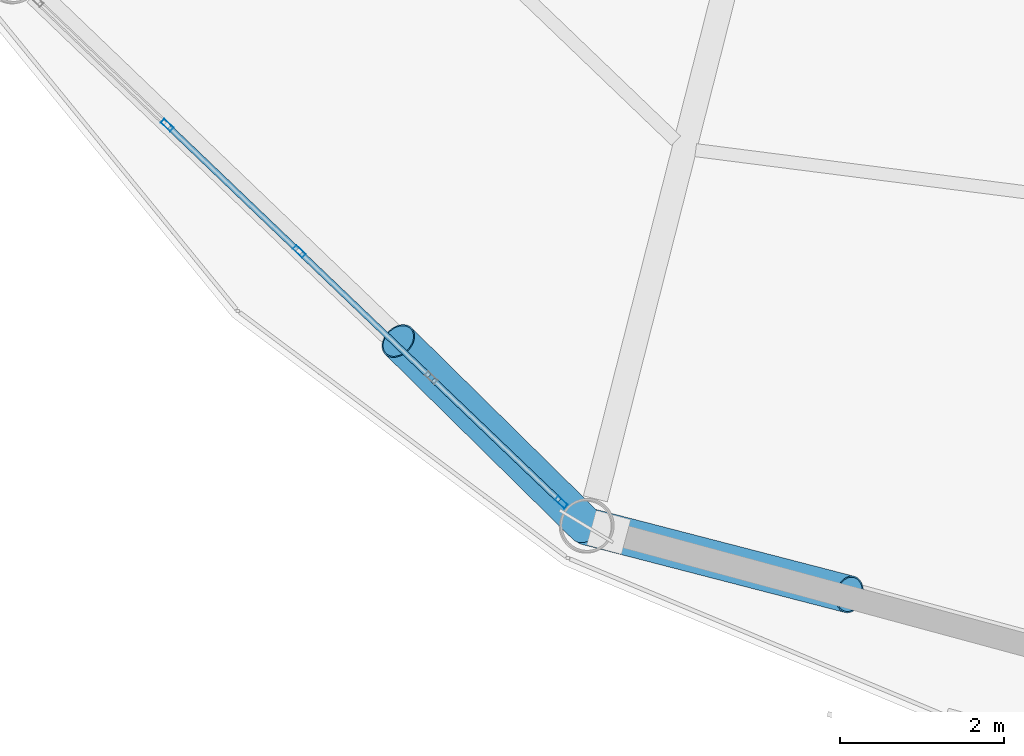
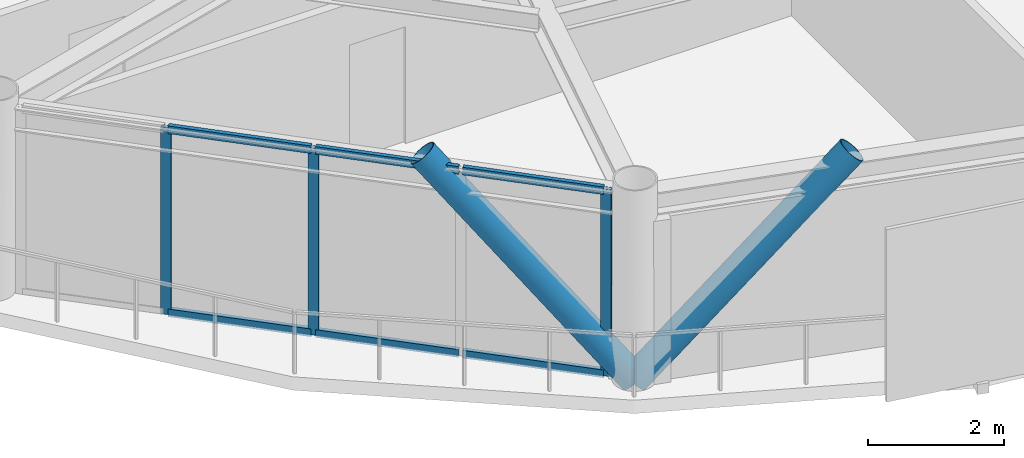
# One storey, part 2 of 28: 11 members, 1 element without a shape of its own.
"""IFC4 building model written with IfcOpenShell, lengths in metres."""

from ifc_helpers import new_model, si_unit, direction, frame, origin, origin_2d, place, context, subcontext, project, spatial, hollow_rectangle, hollow_circle, extrude, material, layer, layer_set, material_profile, profile_set, type_object, element, aggregate, save


model = new_model("IFC4")

# Units and contexts
model_context = context("Model", 3, precision=1e-05, world=origin(), true_north=direction((0.0, 1.0)))
body_context = subcontext(model_context, "Body", "Model", "MODEL_VIEW")
ifc_project = project(units=[si_unit("LENGTHUNIT", "METRE"), si_unit("AREAUNIT", "SQUARE_METRE"), si_unit("VOLUMEUNIT", "CUBIC_METRE"), si_unit("PLANEANGLEUNIT", "RADIAN"), si_unit("MASSUNIT", "GRAM", prefix="KILO")], contexts=[model_context])

# Site, building, storey
site_placement = place(None, origin())
site = spatial("IfcSite", under=ifc_project, at=site_placement, CompositionType="ELEMENT")
building_placement = place(site_placement, origin())
building = spatial("IfcBuilding", under=site, at=building_placement, Name="Varnakorn Sky Granary", CompositionType="ELEMENT")
storey_placement = place(building_placement, frame((0.0, 0.0, 204.0)))
storey = spatial("IfcBuildingStorey", under=building, at=storey_placement, Name="L51", CompositionType="ELEMENT", Elevation=204.0)

# Curtain wall, members
ifc_material_1 = material(Name="Anodised Bronze Aluminium Alloy 6063-T6", Category="aluminium")
ifc_layer = layer(ifc_material_1, 0.169921875, Name="Anodised Bronze Aluminium Alloy 6063-T6")
ifc_layer_set = layer_set([ifc_layer], Name="Anodised Bronze Aluminium Alloy 6063-T6")
curtain_wall_type = type_object("IfcCurtainWallType", Name="CW-LAB-1", PredefinedType="USERDEFINED", material=ifc_layer_set)
curtain_wall_placement = place(storey_placement, origin())
curtain_wall = element("IfcCurtainWall", 1, at=curtain_wall_placement, inside=storey, type_object=curtain_wall_type, Name="Unitised Curtain Wall CW5 CW-L51-B08", ObjectType="CURTAIN WALL", PredefinedType="USERDEFINED")
ifc_material_profile_1 = material_profile(ifc_material_1, hollow_rectangle(XDim=0.06494140625, YDim=0.159912109375, WallThickness=0.00341796875, at=origin_2d()), Name="ALU MULL 65x160")
ifc_profile_set_1 = profile_set([ifc_material_profile_1], Name="Anodised Bronze Aluminium Alloy 6063-T6")
member_type_1 = type_object("IfcMemberType", Name="CW-LAB-1-MULL", PredefinedType="MULLION", material=ifc_profile_set_1)
member_1_placement = place(storey_placement, frame((-5.041748046875, -15.59423828125, 0.0), z_axis=(0.0, 0.0, 1.0), x_axis=(-0.691317195735, -0.722551406393, 0.0)))
member_1 = element("IfcMember", 2, at=member_1_placement, type_object=member_type_1, Name="CW5 mullion 1", PredefinedType="MULLION", context=body_context, shape_type="SweptSolid", body=[
    extrude(hollow_rectangle(XDim=0.06494140625, YDim=0.159912109375, WallThickness=0.00341796875, at=origin_2d()), origin(), (0.0, 0.0, 1.0), 3.360107421875),
])
member_2_placement = place(storey_placement, frame((-8.245361328125, -12.529296875, 0.0), z_axis=(0.0, 0.0, 1.0), x_axis=(-0.691317195735, -0.722551406393, 0.0)))
member_2 = element("IfcMember", 3, at=member_2_placement, type_object=member_type_1, Name="CW5 mullion 3", PredefinedType="MULLION", context=body_context, shape_type="SweptSolid", body=[
    extrude(hollow_rectangle(XDim=0.06494140625, YDim=0.159912109375, WallThickness=0.00341796875, at=origin_2d()), origin(), (0.0, 0.0, 1.0), 3.360107421875),
])
member_3_placement = place(storey_placement, frame((-9.85888671875, -10.9853515625, 0.0), z_axis=(0.0, 0.0, 1.0), x_axis=(-0.691317195735, -0.722551406393, 0.0)))
member_3 = element("IfcMember", 4, at=member_3_placement, type_object=member_type_1, Name="CW5 mullion 4", PredefinedType="MULLION", context=body_context, shape_type="SweptSolid", body=[
    extrude(hollow_rectangle(XDim=0.06494140625, YDim=0.159912109375, WallThickness=0.00341796875, at=origin_2d()), origin(), (0.0, 0.0, 1.0), 3.360107421875),
])
ifc_material_profile_2 = material_profile(ifc_material_1, hollow_rectangle(XDim=0.070068359375, YDim=0.139892578125, WallThickness=0.00341796875, at=origin_2d()), Name="ALU TRAN 70x140")
ifc_profile_set_2 = profile_set([ifc_material_profile_2], Name="Anodised Bronze Aluminium Alloy 6063-T6")
member_type_2 = type_object("IfcMemberType", Name="CW-LAB-1-TRAN", PredefinedType="USERDEFINED", material=ifc_profile_set_2)
member_4_placement = place(storey_placement, frame((-5.065185546875, -15.57177734375, 0.034912109375), z_axis=(-0.722594684386, 0.691271959577, 0.0), x_axis=(-0.691271959577, -0.722594684386, 0.0)))
member_4 = element("IfcMember", 5, at=member_4_placement, type_object=member_type_2, Name="CW5 transom 1.1", ObjectType="TRANSOM", PredefinedType="USERDEFINED", context=body_context, shape_type="SweptSolid", body=[
    extrude(hollow_rectangle(XDim=0.070068359375, YDim=0.139892578125, WallThickness=0.00341796875, at=origin_2d()), origin(), (0.0, 0.0, 1.0), 2.1357421875),
])
member_5_placement = place(storey_placement, frame((-5.065185546875, -15.57177734375, 3.324951171875), z_axis=(-0.722594684386, 0.691271959577, 0.0), x_axis=(-0.691271959577, -0.722594684386, 0.0)))
member_5 = element("IfcMember", 6, at=member_5_placement, type_object=member_type_2, Name="CW5 transom 1.2", ObjectType="TRANSOM", PredefinedType="USERDEFINED", context=body_context, shape_type="SweptSolid", body=[
    extrude(hollow_rectangle(XDim=0.070068359375, YDim=0.139892578125, WallThickness=0.00341796875, at=origin_2d()), origin(), (0.0, 0.0, 1.0), 2.1357421875),
])
member_6_placement = place(storey_placement, frame((-6.6552734375, -14.050537109375, 0.034912109375), z_axis=(-0.722585607888, 0.691281447222, 0.0), x_axis=(-0.691281447222, -0.722585607888, 0.0)))
member_6 = element("IfcMember", 7, at=member_6_placement, type_object=member_type_2, Name="CW5 transom 2.1", ObjectType="TRANSOM", PredefinedType="USERDEFINED", context=body_context, shape_type="SweptSolid", body=[
    extrude(hollow_rectangle(XDim=0.070068359375, YDim=0.139892578125, WallThickness=0.00341796875, at=origin_2d()), origin(), (0.0, 0.0, 1.0), 2.168212890625),
])
member_7_placement = place(storey_placement, frame((-6.6552734375, -14.050537109375, 3.324951171875), z_axis=(-0.722585607888, 0.691281447222, 0.0), x_axis=(-0.691281447222, -0.722585607888, 0.0)))
member_7 = element("IfcMember", 8, at=member_7_placement, type_object=member_type_2, Name="CW5 transom 2.2", ObjectType="TRANSOM", PredefinedType="USERDEFINED", context=body_context, shape_type="SweptSolid", body=[
    extrude(hollow_rectangle(XDim=0.070068359375, YDim=0.139892578125, WallThickness=0.00341796875, at=origin_2d()), origin(), (0.0, 0.0, 1.0), 2.168212890625),
])
member_8_placement = place(storey_placement, frame((-8.268798828125, -12.5068359375, 0.034912109375), z_axis=(-0.722529362601, 0.691340234747, 0.0), x_axis=(-0.691340234747, -0.722529362601, 0.0)))
member_8 = element("IfcMember", 9, at=member_8_placement, type_object=member_type_2, Name="CW5 transom 3.1", ObjectType="TRANSOM", PredefinedType="USERDEFINED", context=body_context, shape_type="SweptSolid", body=[
    extrude(hollow_rectangle(XDim=0.070068359375, YDim=0.139892578125, WallThickness=0.00341796875, at=origin_2d()), origin(), (0.0, 0.0, 1.0), 2.168212890625),
])
member_9_placement = place(storey_placement, frame((-8.268798828125, -12.5068359375, 3.324951171875), z_axis=(-0.722529362601, 0.691340234747, 0.0), x_axis=(-0.691340234747, -0.722529362601, 0.0)))
member_9 = element("IfcMember", 10, at=member_9_placement, type_object=member_type_2, Name="CW5 transom 3.2", ObjectType="TRANSOM", PredefinedType="USERDEFINED", context=body_context, shape_type="SweptSolid", body=[
    extrude(hollow_rectangle(XDim=0.070068359375, YDim=0.139892578125, WallThickness=0.00341796875, at=origin_2d()), origin(), (0.0, 0.0, 1.0), 2.168212890625),
])
aggregate(curtain_wall, [member_1, member_2, member_3, member_4, member_5, member_6, member_7, member_8, member_9])

# Members
ifc_material_2 = material(Name="Steel S460M", Category="steel")
ifc_material_profile_3 = material_profile(ifc_material_2, hollow_circle(Radius=0.228515625, WallThickness=0.01611328125, at=origin_2d()), Name="CHS 457x16")
ifc_profile_set_3 = profile_set([ifc_material_profile_3], Name="Steel S460M")
member_type_3 = type_object("IfcMemberType", Name="MB-DIAG-T3", PredefinedType="BRACE", material=ifc_profile_set_3)
member_10_placement = place(storey_placement, frame((-4.736572265625, -15.886474609375, 0.0), z_axis=(-0.483366530218, 0.47637908888, 0.734452014187), x_axis=(-0.701940077194, -0.71223600585, 0.0)))
element("IfcMember", 11, at=member_10_placement, inside=storey, type_object=member_type_3, Name="Perimeter CHS Diagrid Brace DG08 L51", PredefinedType="BRACE", context=body_context, shape_type="SweptSolid", body=[
    extrude(hollow_circle(Radius=0.228515625, WallThickness=0.01611328125, at=origin_2d()), origin(), (0.0, 0.0, 1.0), 4.751708984375),
])
member_11_placement = place(storey_placement, frame((-4.736572265625, -15.886474609375, 0.0), z_axis=(0.667707226274, -0.172827875592, 0.724083962949), x_axis=(0.250579831975, 0.968095939361, 0.0)))
element("IfcMember", 12, at=member_11_placement, inside=storey, type_object=member_type_3, Name="Perimeter CHS Diagrid Brace DG09 L51", PredefinedType="BRACE", context=body_context, shape_type="SweptSolid", body=[
    extrude(hollow_circle(Radius=0.228515625, WallThickness=0.01611328125, at=origin_2d()), origin(), (0.0, 0.0, 1.0), 4.81982421875),
])

save(model, "model.ifc")
